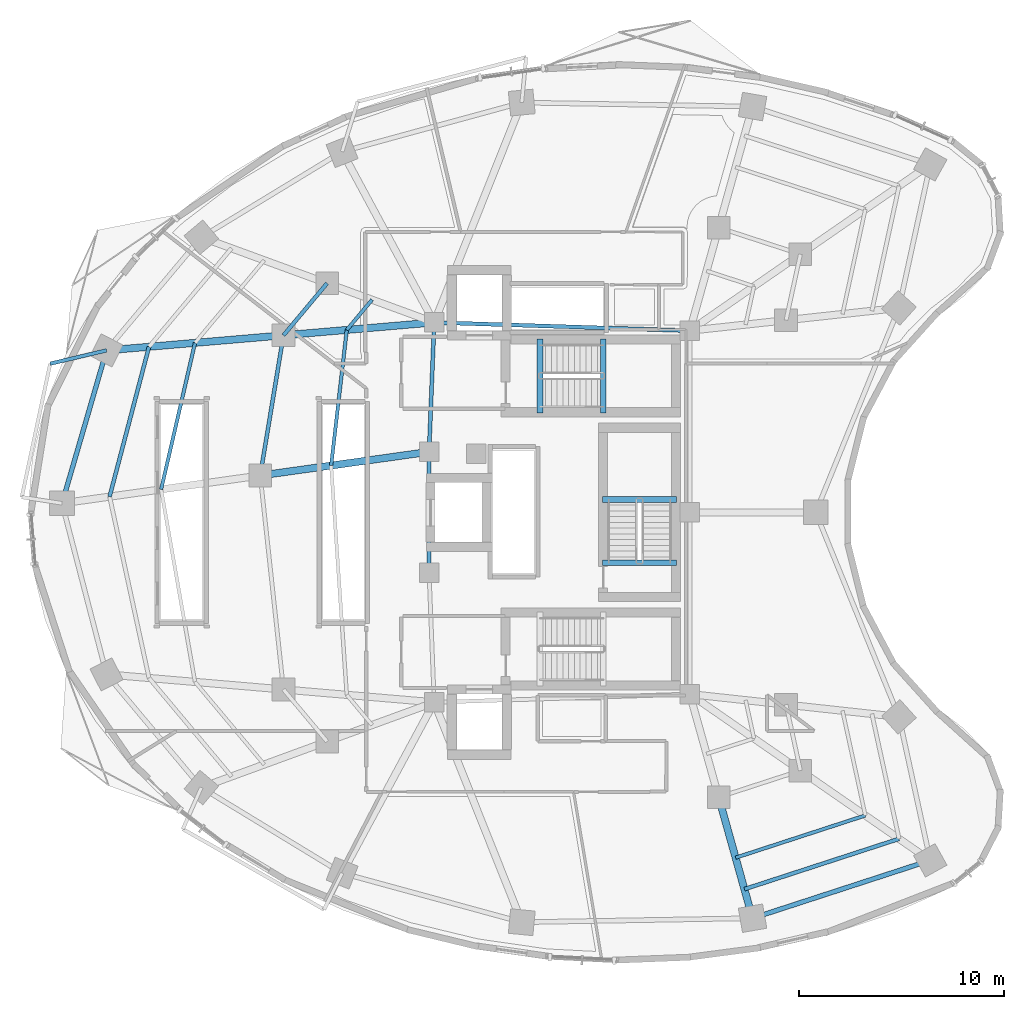
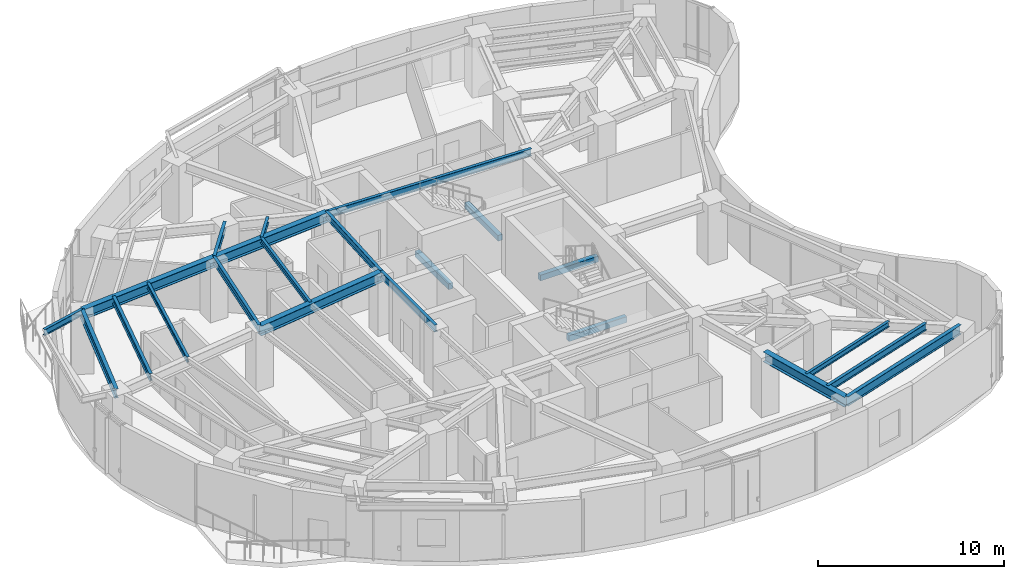
# One storey, part 3 of 14: 22 beams.
"""IFC4 building model written with IfcOpenShell, lengths in metres."""

from ifc_helpers import new_model, si_unit, direction, frame, origin, origin_2d, place, context, subcontext, project, spatial, rectangle, i_section, extrude, material, material_profile, profile_set, type_object, element, save


model = new_model("IFC4")

# Units and contexts
model_context = context("Model", 3, precision=1e-05, world=origin(), true_north=direction((0.0, 1.0)))
body_context = subcontext(model_context, "Body", "Model", "MODEL_VIEW")
ifc_project = project(units=[si_unit("LENGTHUNIT", "METRE"), si_unit("AREAUNIT", "SQUARE_METRE"), si_unit("VOLUMEUNIT", "CUBIC_METRE"), si_unit("PLANEANGLEUNIT", "RADIAN"), si_unit("MASSUNIT", "GRAM", prefix="KILO")], contexts=[model_context])

# Site, building, storey
site_placement = place(None, origin())
site = spatial("IfcSite", under=ifc_project, at=site_placement, CompositionType="ELEMENT")
building_placement = place(site_placement, origin())
building = spatial("IfcBuilding", under=site, at=building_placement, Name="Korentha Bioscience Tower", CompositionType="ELEMENT")
storey_placement = place(building_placement, frame((0.0, 0.0, 132.0)))
storey = spatial("IfcBuildingStorey", under=building, at=storey_placement, Name="L30", CompositionType="ELEMENT", Elevation=132.0)

# Beams
ifc_material_1 = material(Name="Concrete C50", Category="concrete")
ifc_material_profile_1 = material_profile(ifc_material_1, rectangle(XDim=0.280029296875, YDim=0.3798828125, at=origin_2d()), Name="Concrete C50")
ifc_profile_set_1 = profile_set([ifc_material_profile_1], Name="Concrete C50 (ST-HB380)")
beam_type_1 = type_object("IfcBeamType", Name="Concrete Stair Header Beam RC 280x380", PredefinedType="BEAM", material=ifc_profile_set_1)
for number, where, z_axis, x_axis, name in (
    (1, (30.25, 31.85009765625, -0.18994140625), (0.0, 1.0, 0.0), (-1.0, 0.0, 0.0), "L30 ST-1 Concrete Stair Header Beam"),
    (2, (33.330078125, 31.85009765625, 1.909912109375), (0.0, 1.0, 0.0), (-1.0, 0.0, 0.0), "L30 ST-1 Half-Landing Header Beam 1"),
    (3, (36.89990234375, 24.550048828125, -0.18994140625), (-1.0, 0.0, 0.0), (0.0, -1.0, 0.0), "L30 ST-3 Concrete Stair Header Beam"),
    (4, (36.89990234375, 27.6298828125, 1.909912109375), (-1.0, 0.0, 0.0), (0.0, -1.0, 0.0), "L30 ST-3 Half-Landing Header Beam 1"),
):
    element("IfcBeam", number, at=place(storey_placement, frame(where, z_axis=z_axis, x_axis=x_axis)), inside=storey, type_object=beam_type_1, Name=name, PredefinedType="BEAM", context=body_context, shape_type="SweptSolid", body=[
        extrude(rectangle(XDim=0.280029296875, YDim=0.3798828125, at=origin_2d()), origin(), (0.0, 0.0, 1.0), 3.599853515625),
    ])
ifc_material_2 = material(Name="Steel S355", Category="steel")
ifc_material_profile_2 = material_profile(ifc_material_2, i_section(OverallWidth=0.18994140625, OverallDepth=0.45703125, WebThickness=0.009033203125, FlangeThickness=0.014404296875, at=origin_2d()), Name="Steel S355")
ifc_profile_set_2 = profile_set([ifc_material_profile_2], Name="Steel S355 (MB-460)")
beam_type_2 = type_object("IfcBeamType", Name="Mid-Ring Tie Girder W460x74", PredefinedType="BEAM", material=ifc_profile_set_2)
beam_1_placement = place(storey_placement, frame((19.882568359375, 38.158935546875, 3.67138671875), z_axis=(-0.642121371708, -0.766602989817, 0.0), x_axis=(0.766602989817, -0.642121371708, 0.0)))
element("IfcBeam", 5, at=beam_1_placement, inside=storey, type_object=beam_type_2, Name="L30 Mid-Ring Tie Girder 05", PredefinedType="BEAM", context=body_context, shape_type="SweptSolid", body=[
    extrude(i_section(OverallWidth=0.18994140625, OverallDepth=0.45703125, WebThickness=0.009033203125, FlangeThickness=0.014404296875, at=origin_2d()), origin(), (0.0, 0.0, 1.0), 3.306640625),
])
beam_2_placement = place(storey_placement, frame((17.75927734375, 35.6240234375, 3.67138671875), z_axis=(-0.163580878592, -0.986529926641, 0.0), x_axis=(0.986529926641, -0.163580878592, 0.0)))
element("IfcBeam", 6, at=beam_2_placement, inside=storey, type_object=beam_type_2, Name="L30 Mid-Ring Tie Girder 06", PredefinedType="BEAM", context=body_context, shape_type="SweptSolid", body=[
    extrude(i_section(OverallWidth=0.18994140625, OverallDepth=0.45703125, WebThickness=0.009033203125, FlangeThickness=0.014404296875, at=origin_2d()), origin(), (0.0, 0.0, 1.0), 6.920654296875),
])
beam_3_placement = place(storey_placement, frame((37.550048828125, 35.85009765625, 3.67138671875), z_axis=(-0.999484526071, 0.032104238723, 0.0), x_axis=(-0.032104238723, -0.999484526071, 0.0)))
element("IfcBeam", 7, at=beam_3_placement, inside=storey, type_object=beam_type_2, Name="L30 Core Ring Tie Girder 01", PredefinedType="BEAM", context=body_context, shape_type="SweptSolid", body=[
    extrude(i_section(OverallWidth=0.18994140625, OverallDepth=0.45703125, WebThickness=0.009033203125, FlangeThickness=0.014404296875, at=origin_2d()), origin(), (0.0, 0.0, 1.0), 12.456298828125),
])
beam_4_placement = place(storey_placement, frame((25.10009765625, 36.25, 3.67138671875), z_axis=(-0.039651025576, -0.999213588864, 0.0), x_axis=(0.999213588864, -0.039651025576, 0.0)))
element("IfcBeam", 8, at=beam_4_placement, inside=storey, type_object=beam_type_2, Name="L30 Core Ring Tie Girder 02", PredefinedType="BEAM", context=body_context, shape_type="SweptSolid", body=[
    extrude(i_section(OverallWidth=0.18994140625, OverallDepth=0.45703125, WebThickness=0.009033203125, FlangeThickness=0.014404296875, at=origin_2d()), origin(), (0.0, 0.0, 1.0), 6.304931640625),
])
beam_5_placement = place(storey_placement, frame((24.85009765625, 29.949951171875, 3.67138671875), z_axis=(0.0, -1.0, 0.0), x_axis=(1.0, 0.0, 0.0)))
element("IfcBeam", 9, at=beam_5_placement, inside=storey, type_object=beam_type_2, Name="L30 Core Ring Tie Girder 03", PredefinedType="BEAM", context=body_context, shape_type="SweptSolid", body=[
    extrude(i_section(OverallWidth=0.18994140625, OverallDepth=0.45703125, WebThickness=0.009033203125, FlangeThickness=0.014404296875, at=origin_2d()), origin(), (0.0, 0.0, 1.0), 5.89990234375),
])
ifc_material_profile_3 = material_profile(ifc_material_2, i_section(OverallWidth=0.22802734375, OverallDepth=0.60791015625, WebThickness=0.01123046875, FlangeThickness=0.017333984375, at=origin_2d()), Name="Steel S355")
ifc_profile_set_3 = profile_set([ifc_material_profile_3], Name="Steel S355 (SB-610)")
beam_type_3 = type_object("IfcBeamType", Name="Perimeter Ring Spandrel Girder W610x113", PredefinedType="SPANDREL", material=ifc_profile_set_3)
beam_6_placement = place(storey_placement, frame((9.141845703125, 34.889404296875, 3.595947265625), z_axis=(-0.279486251653, -0.960149694129, 0.0), x_axis=(0.960149694129, -0.279486251653, 0.0)))
element("IfcBeam", 10, at=beam_6_placement, inside=storey, type_object=beam_type_3, Name="L30 Perimeter Spandrel Girder 06", PredefinedType="SPANDREL", context=body_context, shape_type="SweptSolid", body=[
    extrude(i_section(OverallWidth=0.22802734375, OverallDepth=0.60791015625, WebThickness=0.01123046875, FlangeThickness=0.017333984375, at=origin_2d()), origin(), (0.0, 0.0, 1.0), 7.756103515625),
])
beam_7_placement = place(storey_placement, frame((40.604248046875, 7.235107421875, 3.595947265625), z_axis=(0.950867758759, 0.309597327755, 0.0), x_axis=(-0.309597327755, 0.950867758759, 0.0)))
element("IfcBeam", 11, at=beam_7_placement, inside=storey, type_object=beam_type_3, Name="L30 Perimeter Spandrel Girder 12", PredefinedType="SPANDREL", context=body_context, shape_type="SweptSolid", body=[
    extrude(i_section(OverallWidth=0.22802734375, OverallDepth=0.60791015625, WebThickness=0.01123046875, FlangeThickness=0.017333984375, at=origin_2d()), origin(), (0.0, 0.0, 1.0), 9.101806640625),
])
ifc_material_profile_4 = material_profile(ifc_material_2, i_section(OverallWidth=0.18994140625, OverallDepth=0.45703125, WebThickness=0.009033203125, FlangeThickness=0.014404296875, at=origin_2d()), Name="Steel S355")
ifc_profile_set_4 = profile_set([ifc_material_profile_4], Name="Steel S355 (RB-460)")
beam_type_4 = type_object("IfcBeamType", Name="Radial Laboratory Beam W460x74", PredefinedType="BEAM", material=ifc_profile_set_4)
beam_8_placement = place(storey_placement, frame((11.2099609375, 35.065673828125, 3.67138671875), z_axis=(-0.254294231014, -0.967126901742, 0.0), x_axis=(0.967126901742, -0.254294231014, 0.0)))
element("IfcBeam", 12, at=beam_8_placement, inside=storey, type_object=beam_type_4, Name="L30 Secondary Floor Beam JSTO-06", PredefinedType="BEAM", context=body_context, shape_type="SweptSolid", body=[
    extrude(i_section(OverallWidth=0.18994140625, OverallDepth=0.45703125, WebThickness=0.009033203125, FlangeThickness=0.014404296875, at=origin_2d()), origin(), (0.0, 0.0, 1.0), 7.546142578125),
])
beam_9_placement = place(storey_placement, frame((40.20849609375, 8.64990234375, 3.67138671875), z_axis=(0.950866789802, 0.3096003037, 0.0), x_axis=(-0.3096003037, 0.950866789802, 0.0)))
element("IfcBeam", 13, at=beam_9_placement, inside=storey, type_object=beam_type_4, Name="L30 Secondary Floor Beam JSTO-12", PredefinedType="BEAM", context=body_context, shape_type="SweptSolid", body=[
    extrude(i_section(OverallWidth=0.18994140625, OverallDepth=0.45703125, WebThickness=0.009033203125, FlangeThickness=0.014404296875, at=origin_2d()), origin(), (0.0, 0.0, 1.0), 7.921875),
])
ifc_material_profile_5 = material_profile(ifc_material_2, i_section(OverallWidth=0.35009765625, OverallDepth=0.64990234375, WebThickness=0.01611328125, FlangeThickness=0.02490234375, at=origin_2d()), Name="Steel S355")
ifc_profile_set_5 = profile_set([ifc_material_profile_5], Name="Steel S355 (RB-650)")
beam_type_5 = type_object("IfcBeamType", Name="Radial Laboratory Girder CVS 650x208", PredefinedType="BEAM", material=ifc_profile_set_5)
beam_10_placement = place(storey_placement, frame((25.10009765625, 36.25, 3.574951171875), z_axis=(-0.996383934197, -0.084965026183, 0.0), x_axis=(0.084965026183, -0.996383934197, 0.0)))
element("IfcBeam", 14, at=beam_10_placement, inside=storey, type_object=beam_type_5, Name="L30 Inner Radial Girder 06", PredefinedType="BEAM", context=body_context, shape_type="SweptSolid", body=[
    extrude(i_section(OverallWidth=0.35009765625, OverallDepth=0.64990234375, WebThickness=0.01611328125, FlangeThickness=0.02490234375, at=origin_2d()), origin(), (0.0, 0.0, 1.0), 7.367431640625),
])
beam_11_placement = place(storey_placement, frame((17.75927734375, 35.6240234375, 3.574951171875), z_axis=(-0.996386071548, -0.084939957767, 0.0), x_axis=(0.084939957767, -0.996386071548, 0.0)))
element("IfcBeam", 15, at=beam_11_placement, inside=storey, type_object=beam_type_5, Name="L30 Outer Radial Girder 06", PredefinedType="BEAM", context=body_context, shape_type="SweptSolid", body=[
    extrude(i_section(OverallWidth=0.35009765625, OverallDepth=0.64990234375, WebThickness=0.01611328125, FlangeThickness=0.02490234375, at=origin_2d()), origin(), (0.0, 0.0, 1.0), 8.648681640625),
])
beam_12_placement = place(storey_placement, frame((24.85009765625, 29.949951171875, 3.574951171875), z_axis=(-0.990306752817, -0.13889757134, 0.0), x_axis=(0.13889757134, -0.990306752817, 0.0)))
element("IfcBeam", 16, at=beam_12_placement, inside=storey, type_object=beam_type_5, Name="L30 Inner Radial Girder 07", PredefinedType="BEAM", context=body_context, shape_type="SweptSolid", body=[
    extrude(i_section(OverallWidth=0.35009765625, OverallDepth=0.64990234375, WebThickness=0.01611328125, FlangeThickness=0.02490234375, at=origin_2d()), origin(), (0.0, 0.0, 1.0), 8.303466796875),
])
beam_13_placement = place(storey_placement, frame((38.954833984375, 13.129150390625, 3.574951171875), z_axis=(0.269490843458, -0.963002951861, 0.0), x_axis=(0.963002951861, 0.269490843458, 0.0)))
element("IfcBeam", 17, at=beam_13_placement, inside=storey, type_object=beam_type_5, Name="L30 Outer Radial Girder 12", PredefinedType="BEAM", context=body_context, shape_type="SweptSolid", body=[
    extrude(i_section(OverallWidth=0.35009765625, OverallDepth=0.64990234375, WebThickness=0.01611328125, FlangeThickness=0.02490234375, at=origin_2d()), origin(), (0.0, 0.0, 1.0), 6.120361328125),
])
ifc_material_profile_6 = material_profile(ifc_material_2, i_section(OverallWidth=0.1708984375, OverallDepth=0.35498046875, WebThickness=0.007080078125, FlangeThickness=0.01171875, at=origin_2d()), Name="Steel S355")
ifc_profile_set_6 = profile_set([ifc_material_profile_6], Name="Steel S355 (JB-360)")
beam_type_6 = type_object("IfcBeamType", Name="Secondary Laboratory Joist W360x51", PredefinedType="JOIST", material=ifc_profile_set_6)
beam_14_placement = place(storey_placement, frame((22.073974609375, 37.357177734375, 3.722412109375), z_axis=(-0.64218549873, -0.766549271229, 0.0), x_axis=(0.766549271229, -0.64218549873, 0.0)))
element("IfcBeam", 18, at=beam_14_placement, inside=storey, type_object=beam_type_6, Name="L30 Inner Bay Joist 05", PredefinedType="JOIST", context=body_context, shape_type="SweptSolid", body=[
    extrude(i_section(OverallWidth=0.1708984375, OverallDepth=0.35498046875, WebThickness=0.007080078125, FlangeThickness=0.01171875, at=origin_2d()), origin(), (0.0, 0.0, 1.0), 1.91796875),
])
beam_15_placement = place(storey_placement, frame((13.450439453125, 35.256591796875, 3.722412109375), z_axis=(-0.225236780605, -0.974304055551, 0.0), x_axis=(0.974304055551, -0.225236780605, 0.0)))
element("IfcBeam", 19, at=beam_15_placement, inside=storey, type_object=beam_type_6, Name="L30 Secondary Floor Beam JST-06", PredefinedType="JOIST", context=body_context, shape_type="SweptSolid", body=[
    extrude(i_section(OverallWidth=0.1708984375, OverallDepth=0.35498046875, WebThickness=0.007080078125, FlangeThickness=0.01171875, at=origin_2d()), origin(), (0.0, 0.0, 1.0), 7.3251953125),
])
beam_16_placement = place(storey_placement, frame((20.84228515625, 35.886962890625, 3.722412109375), z_axis=(-0.114512623722, -0.993421793101, 0.0), x_axis=(0.993421793101, -0.114512623722, 0.0)))
element("IfcBeam", 20, at=beam_16_placement, inside=storey, type_object=beam_type_6, Name="L30 Inner Bay Joist 06", PredefinedType="JOIST", context=body_context, shape_type="SweptSolid", body=[
    extrude(i_section(OverallWidth=0.1708984375, OverallDepth=0.35498046875, WebThickness=0.007080078125, FlangeThickness=0.01171875, at=origin_2d()), origin(), (0.0, 0.0, 1.0), 6.649658203125),
])
beam_17_placement = place(storey_placement, frame((39.779541015625, 10.18212890625, 3.722412109375), z_axis=(0.950864890997, 0.309606135387, 0.0), x_axis=(-0.309606135387, 0.950864890997, 0.0)))
element("IfcBeam", 21, at=beam_17_placement, inside=storey, type_object=beam_type_6, Name="L30 Secondary Floor Beam JST-12", PredefinedType="JOIST", context=body_context, shape_type="SweptSolid", body=[
    extrude(i_section(OverallWidth=0.1708984375, OverallDepth=0.35498046875, WebThickness=0.007080078125, FlangeThickness=0.01171875, at=origin_2d()), origin(), (0.0, 0.0, 1.0), 6.644287109375),
])
ifc_material_profile_7 = material_profile(ifc_material_2, i_section(OverallWidth=0.177978515625, OverallDepth=0.406982421875, WebThickness=0.0078125, FlangeThickness=0.0126953125, at=origin_2d()), Name="Steel S355")
ifc_profile_set_7 = profile_set([ifc_material_profile_7], Name="Steel S355 (CB-410)")
beam_type_7 = type_object("IfcBeamType", Name="Sun-Ledge Cantilever Beam W410x60", PredefinedType="BEAM", material=ifc_profile_set_7)
beam_18_placement = place(storey_placement, frame((9.141845703125, 34.889404296875, 3.698486328125), z_axis=(-0.973303545012, -0.229521696725, 0.0), x_axis=(0.229521696725, -0.973303545012, 0.0)))
element("IfcBeam", 22, at=beam_18_placement, inside=storey, type_object=beam_type_7, Name="L30 Balcony Cantilever Bracket A-L31-02", PredefinedType="BEAM", context=body_context, shape_type="SweptSolid", body=[
    extrude(i_section(OverallWidth=0.177978515625, OverallDepth=0.406982421875, WebThickness=0.0078125, FlangeThickness=0.0126953125, at=origin_2d()), origin(), (0.0, 0.0, 1.0), 2.82080078125),
])

save(model, "model.ifc")
